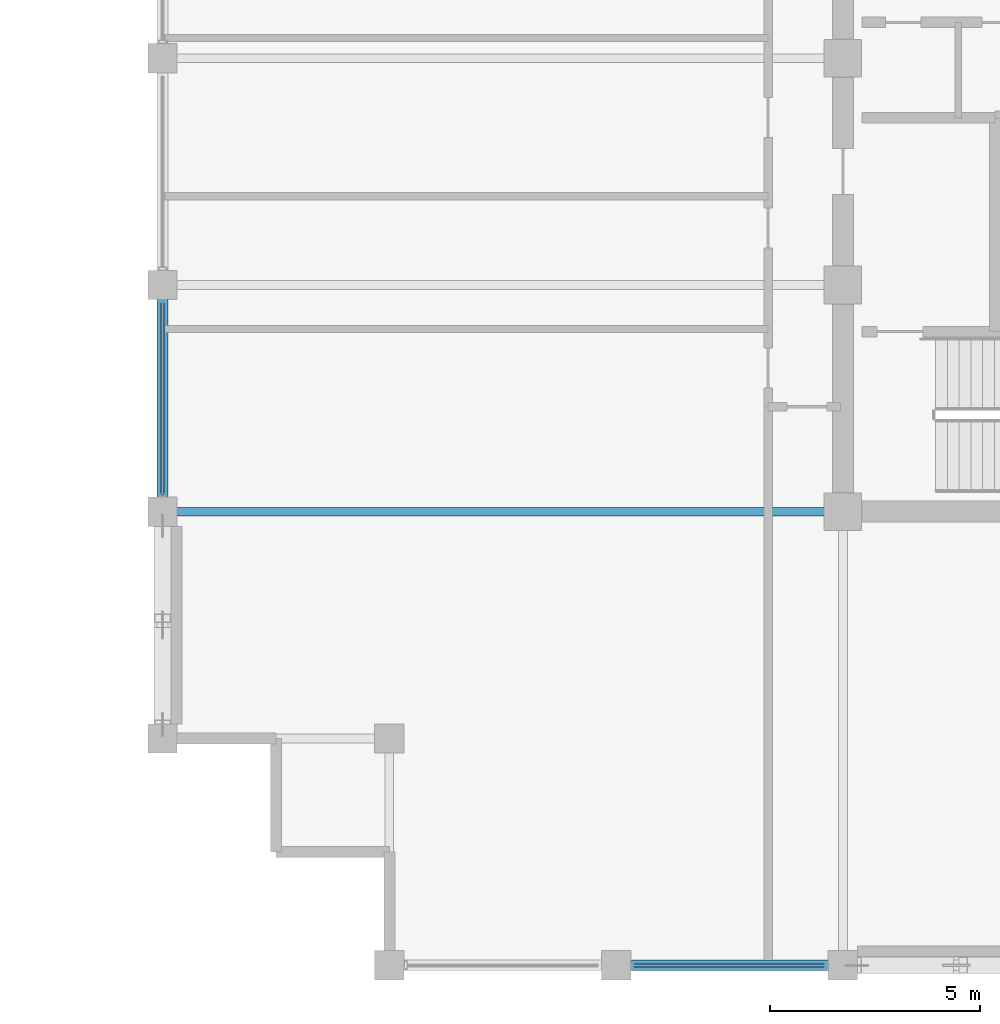
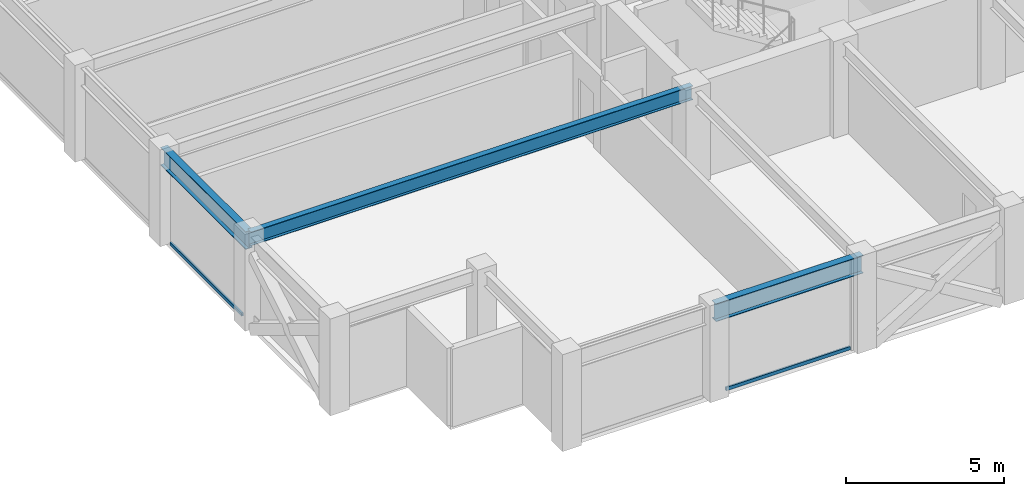
# One storey, part 3 of 31: 3 beams, 2 members, 2 elements without a shape of their own.
"""IFC4 building model written with IfcOpenShell, lengths in metres."""

from ifc_helpers import new_model, si_unit, direction, frame, origin, origin_2d, place, context, subcontext, project, spatial, hollow_rectangle, i_section, extrude, material, layer, layer_set, material_profile, profile_set, type_object, element, aggregate, save


model = new_model("IFC4")

# Units and contexts
model_context = context("Model", 3, precision=1e-05, world=origin(), true_north=direction((0.0, 1.0)))
body_context = subcontext(model_context, "Body", "Model", "MODEL_VIEW")
ifc_project = project(units=[si_unit("LENGTHUNIT", "METRE"), si_unit("AREAUNIT", "SQUARE_METRE"), si_unit("VOLUMEUNIT", "CUBIC_METRE"), si_unit("PLANEANGLEUNIT", "RADIAN"), si_unit("MASSUNIT", "GRAM", prefix="KILO")], contexts=[model_context])

# Site, building, storey
site_placement = place(None, origin())
site = spatial("IfcSite", under=ifc_project, at=site_placement, CompositionType="ELEMENT")
building_placement = place(site_placement, origin())
building = spatial("IfcBuilding", under=site, at=building_placement, Name="Surkhivell Harbour Commons", CompositionType="ELEMENT")
storey_placement = place(building_placement, frame((0.0, 0.0, 262.5)))
storey = spatial("IfcBuildingStorey", under=building, at=storey_placement, Name="L68", CompositionType="ELEMENT", Elevation=262.5)

# Beams
ifc_material_1 = material(Name="Steel S355", Category="steel")
ifc_material_profile_1 = material_profile(ifc_material_1, i_section(OverallWidth=0.2099609375, OverallDepth=0.537109375, WebThickness=0.0107421875, FlangeThickness=0.017333984375, at=origin_2d()), Name="UB533x210x101")
ifc_profile_set_1 = profile_set([ifc_material_profile_1], Name="Steel S355")
beam_type_1 = type_object("IfcBeamType", Name="BM-GRD-533B", PredefinedType="BEAM", material=ifc_profile_set_1)
beam_1_placement = place(storey_placement, frame((-27.0, -10.800048828125, 3.301513671875), z_axis=(1.0, 0.0, 0.0), x_axis=(0.0, 1.0, 0.0)))
element("IfcBeam", 1, at=beam_1_placement, inside=storey, type_object=beam_type_1, Name="L68 Floor Girder (-27.0,-10.8)", PredefinedType="BEAM", context=body_context, shape_type="SweptSolid", body=[
    extrude(i_section(OverallWidth=0.2099609375, OverallDepth=0.537109375, WebThickness=0.0107421875, FlangeThickness=0.017333984375, at=origin_2d()), origin(), (0.0, 0.0, 1.0), 16.199951171875),
])
ifc_material_profile_2 = material_profile(ifc_material_1, i_section(OverallWidth=0.256103515625, OverallDepth=0.693115234375, WebThickness=0.014404296875, FlangeThickness=0.023681640625, at=origin_2d()), Name="UB686x254x170")
ifc_profile_set_2 = profile_set([ifc_material_profile_2], Name="Steel S355")
beam_type_2 = type_object("IfcBeamType", Name="BM-SPN-686", PredefinedType="SPANDREL", material=ifc_profile_set_2)
beam_2_placement = place(storey_placement, frame((-27.0, -10.800048828125, 3.223388671875), z_axis=(0.0, 1.0, 0.0), x_axis=(-1.0, 0.0, 0.0)))
element("IfcBeam", 2, at=beam_2_placement, inside=storey, type_object=beam_type_2, Name="L68 Tube Spandrel (-27.0,-10.8)", PredefinedType="SPANDREL", context=body_context, shape_type="SweptSolid", body=[
    extrude(i_section(OverallWidth=0.256103515625, OverallDepth=0.693115234375, WebThickness=0.014404296875, FlangeThickness=0.023681640625, at=origin_2d()), origin(), (0.0, 0.0, 1.0), 5.400146484375),
])
beam_3_placement = place(storey_placement, frame((-16.199951171875, -21.60009765625, 3.223388671875), z_axis=(1.0, 0.0, 0.0), x_axis=(0.0, 1.0, 0.0)))
element("IfcBeam", 3, at=beam_3_placement, inside=storey, type_object=beam_type_2, Name="L68 Tube Spandrel (-16.2,-21.6)", PredefinedType="SPANDREL", context=body_context, shape_type="SweptSolid", body=[
    extrude(i_section(OverallWidth=0.256103515625, OverallDepth=0.693115234375, WebThickness=0.014404296875, FlangeThickness=0.023681640625, at=origin_2d()), origin(), (0.0, 0.0, 1.0), 5.39990234375),
])

# Curtain wall, member
ifc_material_2 = material(Name="Anodised pale-metal aluminium and insulated glazing", Category="aluminium")
ifc_layer = layer(ifc_material_2, 0.175048828125)
ifc_layer_set = layer_set([ifc_layer], Name="Anodised pale-metal aluminium and insulated glazing")
curtain_wall_type = type_object("IfcCurtainWallType", Name="CW-SYS-Z4", PredefinedType="NOTDEFINED", material=ifc_layer_set)
curtain_wall_1_placement = place(storey_placement, origin())
curtain_wall_1 = element("IfcCurtainWall", 4, at=curtain_wall_1_placement, inside=storey, type_object=curtain_wall_type, Name="L68 Curtain Wall CW-L68-E00S1", PredefinedType="NOTDEFINED")
ifc_material_3 = material(Name="Champagne anodised aluminium alloy 6063-T6", Category="aluminium")
ifc_material_profile_3 = material_profile(ifc_material_3, hollow_rectangle(XDim=0.070068359375, YDim=0.1298828125, WallThickness=0.00341796875, at=origin_2d()), Name="ALU-TRAN-70x130")
ifc_profile_set_3 = profile_set([ifc_material_profile_3], Name="Champagne anodised aluminium alloy 6063-T6")
member_type = type_object("IfcMemberType", Name="CWT-130", PredefinedType="USERDEFINED", material=ifc_profile_set_3)
member_1_placement = place(storey_placement, frame((-15.77294921875, -21.60009765625, 0.06494140625), z_axis=(1.0, 0.0, 0.0), x_axis=(0.0, 1.0, 0.0)))
member_1 = element("IfcMember", 5, at=member_1_placement, type_object=member_type, Name="CW-Z4 transom 2.1", ObjectType="TRANSOM", PredefinedType="USERDEFINED", context=body_context, shape_type="SweptSolid", body=[
    extrude(hollow_rectangle(XDim=0.070068359375, YDim=0.1298828125, WallThickness=0.00341796875, at=origin_2d()), origin(), (0.0, 0.0, 1.0), 4.5458984375),
])
aggregate(curtain_wall_1, [member_1])

curtain_wall_2_placement = place(storey_placement, origin())
curtain_wall_2 = element("IfcCurtainWall", 6, at=curtain_wall_2_placement, inside=storey, type_object=curtain_wall_type, Name="L68 Curtain Wall CW-L68-E12R1S1", PredefinedType="NOTDEFINED")
member_2_placement = place(storey_placement, frame((-27.0, -10.373046875, 0.06494140625), z_axis=(0.0, 1.0, 0.0), x_axis=(-1.0, 0.0, 0.0)))
member_2 = element("IfcMember", 7, at=member_2_placement, type_object=member_type, Name="CW-Z4 transom 1.1", ObjectType="TRANSOM", PredefinedType="USERDEFINED", context=body_context, shape_type="SweptSolid", body=[
    extrude(hollow_rectangle(XDim=0.070068359375, YDim=0.1298828125, WallThickness=0.00341796875, at=origin_2d()), origin(), (0.0, 0.0, 1.0), 4.546142578125),
])
aggregate(curtain_wall_2, [member_2])

save(model, "model.ifc")
